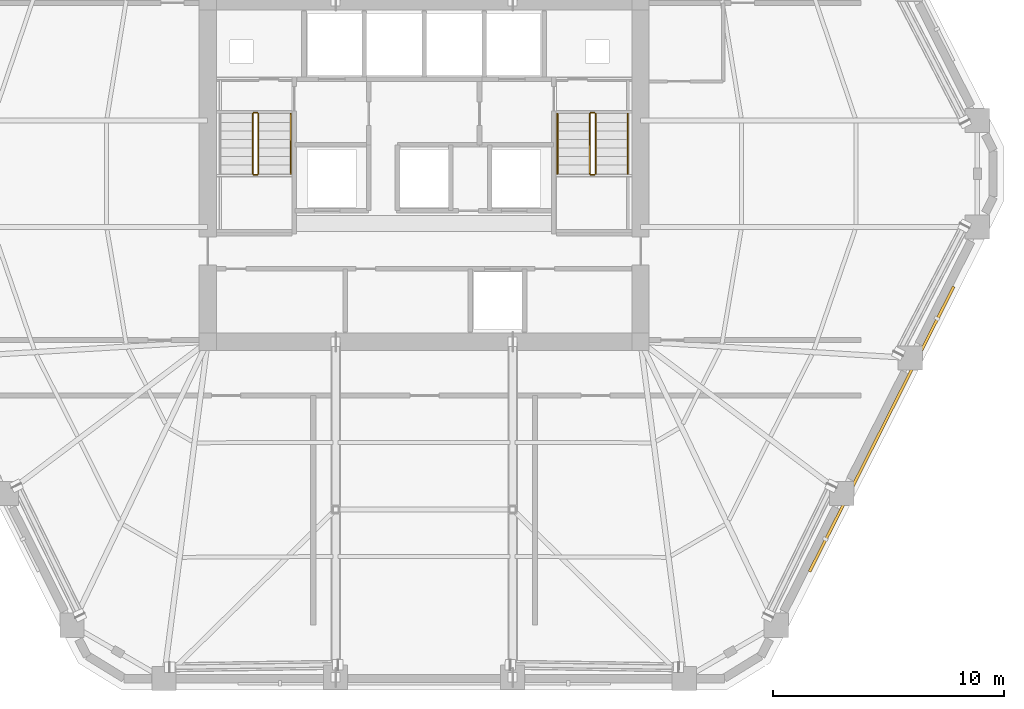
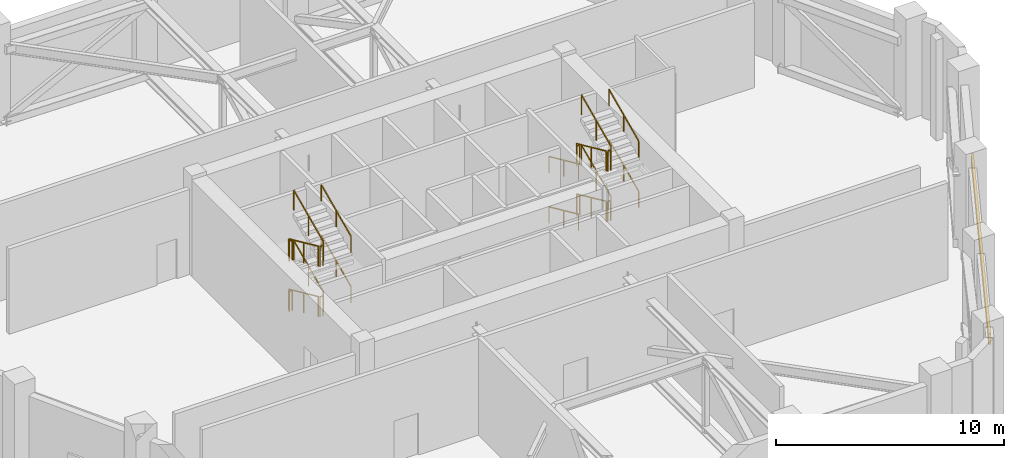
# One storey, part 14 of 15: 22 railings, 1 shading device.
"""IFC4 building model written with IfcOpenShell, lengths in metres."""

from ifc_helpers import new_model, si_unit, direction, frame, origin, origin_2d, place, context, subcontext, project, spatial, rectangle, extrude, material, layer, layer_set, type_object, element, save


model = new_model("IFC4")

# Units and contexts
model_context = context("Model", 3, precision=1e-05, world=origin(), true_north=direction((0.0, 1.0)))
body_context = subcontext(model_context, "Body", "Model", "MODEL_VIEW")
ifc_project = project(units=[si_unit("LENGTHUNIT", "METRE"), si_unit("AREAUNIT", "SQUARE_METRE"), si_unit("VOLUMEUNIT", "CUBIC_METRE"), si_unit("PLANEANGLEUNIT", "RADIAN"), si_unit("MASSUNIT", "GRAM", prefix="KILO")], contexts=[model_context])

# Site, building, storey
site_placement = place(None, origin())
site = spatial("IfcSite", under=ifc_project, at=site_placement, CompositionType="ELEMENT")
building_placement = place(site_placement, origin())
building = spatial("IfcBuilding", under=site, at=building_placement, Name="Cinnabar Lancet Tower", CompositionType="ELEMENT")
storey_placement = place(building_placement, frame((0.0, 0.0, 148.10009765625)))
storey = spatial("IfcBuildingStorey", under=building, at=storey_placement, Name="L39", CompositionType="ELEMENT", Elevation=148.10009765625)

# Shading device
ifc_material_1 = material(Name="Anodized acoustic plant weather louvre", Category="aluminium")
ifc_layer = layer(ifc_material_1, 0.094970703125)
ifc_layer_set = layer_set([ifc_layer], Name="Anodized acoustic plant weather louvre")
shading_device_type = type_object("IfcShadingDeviceType", Name="ENV-SHD-LVR-600", PredefinedType="JALOUSIE", material=ifc_layer_set)
shading_device_placement = place(storey_placement, frame((52.215087890625, 14.743896484375, 1.849853515625), z_axis=(0.0, 0.0, 1.0), x_axis=(0.45142270618, 0.892310226516, 0.0)))
element("IfcShadingDevice", 1, at=shading_device_placement, inside=storey, type_object=shading_device_type, Name="L39 Face 2 Acoustic Plant Weather Louvre", PredefinedType="JALOUSIE", context=body_context, shape_type="SweptSolid", body=[
    extrude(rectangle(XDim=13.823974609375, YDim=0.1201171875, at=origin_2d()), origin(), (0.0, 0.0, 1.0), 0.60009765625),
])

# Railings
ifc_material_2 = material(Name="Painted galvanized steel balustrade", Category="steel")
railing_type_1 = type_object("IfcRailingType", Name="GUARD-STAIR", PredefinedType="GUARDRAIL", material=ifc_material_2)
railing_1_placement = place(storey_placement, frame((24.97509765625, 28.39990234375, 0.168701171875)))
element("IfcRailing", 2, at=railing_1_placement, inside=storey, type_object=railing_type_1, Name="L39 ST-1 stair guard 1", PredefinedType="GUARDRAIL", context=body_context, shape_type="SweptSolid", body=[
    extrude(rectangle(XDim=0.048095703125, YDim=0.048095703125, at=origin_2d()), frame((0.0, 0.0, 1.076171875), z_axis=(0.0, -0.910430886142, 0.413661215923), x_axis=(1.0, 0.0, 0.0)), (0.0, 0.0, 1.0), 2.85546875),
    extrude(rectangle(XDim=0.0419921875, YDim=0.0419921875, at=origin_2d()), origin(), (0.0, 0.0, 1.0), 1.052001953125),
    extrude(rectangle(XDim=0.0419921875, YDim=0.0419921875, at=origin_2d()), frame((0.0, -1.2998046875, 0.590576171875)), (0.0, 0.0, 1.0), 1.052001953125),
    extrude(rectangle(XDim=0.0419921875, YDim=0.0419921875, at=origin_2d()), frame((0.0, -2.599609375, 1.18115234375)), (0.0, 0.0, 1.0), 1.052001953125),
])
railing_2_placement = place(storey_placement, frame((25.02490234375, 25.750244140625, 1.349853515625)))
element("IfcRailing", 3, at=railing_2_placement, inside=storey, type_object=railing_type_1, Name="L39 ST-1 stair guard 2", PredefinedType="GUARDRAIL", context=body_context, shape_type="SweptSolid", body=[
    extrude(rectangle(XDim=0.048095703125, YDim=0.048095703125, at=origin_2d()), frame((0.0, 0.0, 1.076171875), z_axis=(1.0, 0.0, 0.0), x_axis=(0.0, 1.0, 0.0)), (0.0, 0.0, 1.0), 0.150146484375),
    extrude(rectangle(XDim=0.0419921875, YDim=0.0419921875, at=origin_2d()), origin(), (0.0, 0.0, 1.0), 1.052001953125),
    extrude(rectangle(XDim=0.0419921875, YDim=0.0419921875, at=origin_2d()), frame((0.150146484375, 0.0, 0.0)), (0.0, 0.0, 1.0), 1.052001953125),
])
railing_3_placement = place(storey_placement, frame((25.22509765625, 25.80029296875, 1.5185546875)))
element("IfcRailing", 4, at=railing_3_placement, inside=storey, type_object=railing_type_1, Name="L39 ST-1 stair guard 3", PredefinedType="GUARDRAIL", context=body_context, shape_type="SweptSolid", body=[
    extrude(rectangle(XDim=0.048095703125, YDim=0.048095703125, at=origin_2d()), frame((0.0, 0.0, 1.076171875), z_axis=(0.0, 0.910398683421, 0.413732083872), x_axis=(-1.0, 0.0, 0.0)), (0.0, 0.0, 1.0), 2.85546875),
    extrude(rectangle(XDim=0.0419921875, YDim=0.0419921875, at=origin_2d()), origin(), (0.0, 0.0, 1.0), 1.052001953125),
    extrude(rectangle(XDim=0.0419921875, YDim=0.0419921875, at=origin_2d()), frame((0.0, 1.2998046875, 0.5908203125)), (0.0, 0.0, 1.0), 1.052001953125),
    extrude(rectangle(XDim=0.0419921875, YDim=0.0419921875, at=origin_2d()), frame((0.0, 2.599609375, 1.181396484375)), (0.0, 0.0, 1.0), 1.052001953125),
])
railing_4_placement = place(storey_placement, frame((25.02490234375, 28.449951171875, 2.699951171875)))
element("IfcRailing", 5, at=railing_4_placement, inside=storey, type_object=railing_type_1, Name="L39 ST-1 stair guard 4", PredefinedType="GUARDRAIL", context=body_context, shape_type="SweptSolid", body=[
    extrude(rectangle(XDim=0.048095703125, YDim=0.048095703125, at=origin_2d()), frame((0.0, 0.0, 1.076171875), z_axis=(1.0, 0.0, 0.0), x_axis=(0.0, 1.0, 0.0)), (0.0, 0.0, 1.0), 0.150146484375),
    extrude(rectangle(XDim=0.0419921875, YDim=0.0419921875, at=origin_2d()), origin(), (0.0, 0.0, 1.0), 1.052001953125),
    extrude(rectangle(XDim=0.0419921875, YDim=0.0419921875, at=origin_2d()), frame((0.150146484375, 0.0, 0.0)), (0.0, 0.0, 1.0), 1.052001953125),
])
railing_5_placement = place(storey_placement, frame((24.97509765625, 28.39990234375, 2.86865234375)))
element("IfcRailing", 6, at=railing_5_placement, inside=storey, type_object=railing_type_1, Name="L39 ST-1 stair guard 5", PredefinedType="GUARDRAIL", context=body_context, shape_type="SweptSolid", body=[
    extrude(rectangle(XDim=0.048095703125, YDim=0.048095703125, at=origin_2d()), frame((0.0, 0.0, 1.076171875), z_axis=(0.0, -0.910430886142, 0.413661215923), x_axis=(1.0, 0.0, 0.0)), (0.0, 0.0, 1.0), 2.85546875),
    extrude(rectangle(XDim=0.0419921875, YDim=0.0419921875, at=origin_2d()), origin(), (0.0, 0.0, 1.0), 1.052001953125),
    extrude(rectangle(XDim=0.0419921875, YDim=0.0419921875, at=origin_2d()), frame((0.0, -1.2998046875, 0.590576171875)), (0.0, 0.0, 1.0), 1.052001953125),
    extrude(rectangle(XDim=0.0419921875, YDim=0.0419921875, at=origin_2d()), frame((0.0, -2.599609375, 1.18115234375)), (0.0, 0.0, 1.0), 1.052001953125),
])
railing_6_placement = place(storey_placement, frame((25.02490234375, 25.750244140625, 4.0498046875)))
element("IfcRailing", 7, at=railing_6_placement, inside=storey, type_object=railing_type_1, Name="L39 ST-1 stair guard 6", PredefinedType="GUARDRAIL", context=body_context, shape_type="SweptSolid", body=[
    extrude(rectangle(XDim=0.048095703125, YDim=0.048095703125, at=origin_2d()), frame((0.0, 0.0, 1.076171875), z_axis=(1.0, 0.0, 0.0), x_axis=(0.0, 1.0, 0.0)), (0.0, 0.0, 1.0), 0.150146484375),
    extrude(rectangle(XDim=0.0419921875, YDim=0.0419921875, at=origin_2d()), origin(), (0.0, 0.0, 1.0), 1.052001953125),
    extrude(rectangle(XDim=0.0419921875, YDim=0.0419921875, at=origin_2d()), frame((0.150146484375, 0.0, 0.0)), (0.0, 0.0, 1.0), 1.052001953125),
])
railing_7_placement = place(storey_placement, frame((25.22509765625, 25.80029296875, 4.21875)))
element("IfcRailing", 8, at=railing_7_placement, inside=storey, type_object=railing_type_1, Name="L39 ST-1 stair guard 7", PredefinedType="GUARDRAIL", context=body_context, shape_type="SweptSolid", body=[
    extrude(rectangle(XDim=0.048095703125, YDim=0.048095703125, at=origin_2d()), frame((0.0, 0.0, 1.076171875), z_axis=(0.0, 0.910430886142, 0.413661215923), x_axis=(-1.0, 0.0, 0.0)), (0.0, 0.0, 1.0), 2.85546875),
    extrude(rectangle(XDim=0.0419921875, YDim=0.0419921875, at=origin_2d()), origin(), (0.0, 0.0, 1.0), 1.052001953125),
    extrude(rectangle(XDim=0.0419921875, YDim=0.0419921875, at=origin_2d()), frame((0.0, 1.2998046875, 0.590576171875)), (0.0, 0.0, 1.0), 1.052001953125),
    extrude(rectangle(XDim=0.0419921875, YDim=0.0419921875, at=origin_2d()), frame((0.0, 2.599609375, 1.18115234375)), (0.0, 0.0, 1.0), 1.052001953125),
])
railing_8_placement = place(storey_placement, frame((25.02490234375, 28.449951171875, 0.0)))
element("IfcRailing", 9, at=railing_8_placement, inside=storey, type_object=railing_type_1, Name="L39 ST-1 stair guard 8", PredefinedType="GUARDRAIL", context=body_context, shape_type="SweptSolid", body=[
    extrude(rectangle(XDim=0.048095703125, YDim=0.048095703125, at=origin_2d()), frame((0.0, 0.0, 1.076171875), z_axis=(1.0, 0.0, 0.0), x_axis=(0.0, 1.0, 0.0)), (0.0, 0.0, 1.0), 0.150146484375),
    extrude(rectangle(XDim=0.0419921875, YDim=0.0419921875, at=origin_2d()), origin(), (0.0, 0.0, 1.0), 1.052001953125),
    extrude(rectangle(XDim=0.0419921875, YDim=0.0419921875, at=origin_2d()), frame((0.150146484375, 0.0, 0.0)), (0.0, 0.0, 1.0), 1.052001953125),
])
railing_9_placement = place(storey_placement, frame((39.574951171875, 28.39990234375, 0.168701171875)))
element("IfcRailing", 10, at=railing_9_placement, inside=storey, type_object=railing_type_1, Name="L39 ST-2 stair guard 1", PredefinedType="GUARDRAIL", context=body_context, shape_type="SweptSolid", body=[
    extrude(rectangle(XDim=0.048095703125, YDim=0.048095703125, at=origin_2d()), frame((0.0, 0.0, 1.076171875), z_axis=(0.0, -0.910430886142, 0.413661215923), x_axis=(1.0, 0.0, 0.0)), (0.0, 0.0, 1.0), 2.85546875),
    extrude(rectangle(XDim=0.0419921875, YDim=0.0419921875, at=origin_2d()), origin(), (0.0, 0.0, 1.0), 1.052001953125),
    extrude(rectangle(XDim=0.0419921875, YDim=0.0419921875, at=origin_2d()), frame((0.0, -1.2998046875, 0.590576171875)), (0.0, 0.0, 1.0), 1.052001953125),
    extrude(rectangle(XDim=0.0419921875, YDim=0.0419921875, at=origin_2d()), frame((0.0, -2.599609375, 1.18115234375)), (0.0, 0.0, 1.0), 1.052001953125),
])
railing_10_placement = place(storey_placement, frame((39.625, 25.750244140625, 1.349853515625)))
element("IfcRailing", 11, at=railing_10_placement, inside=storey, type_object=railing_type_1, Name="L39 ST-2 stair guard 2", PredefinedType="GUARDRAIL", context=body_context, shape_type="SweptSolid", body=[
    extrude(rectangle(XDim=0.048095703125, YDim=0.048095703125, at=origin_2d()), frame((0.0, 0.0, 1.076171875), z_axis=(1.0, 0.0, 0.0), x_axis=(0.0, 1.0, 0.0)), (0.0, 0.0, 1.0), 0.14990234375),
    extrude(rectangle(XDim=0.0419921875, YDim=0.0419921875, at=origin_2d()), origin(), (0.0, 0.0, 1.0), 1.052001953125),
    extrude(rectangle(XDim=0.0419921875, YDim=0.0419921875, at=origin_2d()), frame((0.14990234375, 0.0, 0.0)), (0.0, 0.0, 1.0), 1.052001953125),
])
railing_11_placement = place(storey_placement, frame((39.824951171875, 25.80029296875, 1.5185546875)))
element("IfcRailing", 12, at=railing_11_placement, inside=storey, type_object=railing_type_1, Name="L39 ST-2 stair guard 3", PredefinedType="GUARDRAIL", context=body_context, shape_type="SweptSolid", body=[
    extrude(rectangle(XDim=0.048095703125, YDim=0.048095703125, at=origin_2d()), frame((0.0, 0.0, 1.076171875), z_axis=(0.0, 0.910398683421, 0.413732083872), x_axis=(-1.0, 0.0, 0.0)), (0.0, 0.0, 1.0), 2.85546875),
    extrude(rectangle(XDim=0.0419921875, YDim=0.0419921875, at=origin_2d()), origin(), (0.0, 0.0, 1.0), 1.052001953125),
    extrude(rectangle(XDim=0.0419921875, YDim=0.0419921875, at=origin_2d()), frame((0.0, 1.2998046875, 0.5908203125)), (0.0, 0.0, 1.0), 1.052001953125),
    extrude(rectangle(XDim=0.0419921875, YDim=0.0419921875, at=origin_2d()), frame((0.0, 2.599609375, 1.181396484375)), (0.0, 0.0, 1.0), 1.052001953125),
])
railing_12_placement = place(storey_placement, frame((39.625, 28.449951171875, 2.699951171875)))
element("IfcRailing", 13, at=railing_12_placement, inside=storey, type_object=railing_type_1, Name="L39 ST-2 stair guard 4", PredefinedType="GUARDRAIL", context=body_context, shape_type="SweptSolid", body=[
    extrude(rectangle(XDim=0.048095703125, YDim=0.048095703125, at=origin_2d()), frame((0.0, 0.0, 1.076171875), z_axis=(1.0, 0.0, 0.0), x_axis=(0.0, 1.0, 0.0)), (0.0, 0.0, 1.0), 0.14990234375),
    extrude(rectangle(XDim=0.0419921875, YDim=0.0419921875, at=origin_2d()), origin(), (0.0, 0.0, 1.0), 1.052001953125),
    extrude(rectangle(XDim=0.0419921875, YDim=0.0419921875, at=origin_2d()), frame((0.14990234375, 0.0, 0.0)), (0.0, 0.0, 1.0), 1.052001953125),
])
railing_13_placement = place(storey_placement, frame((39.574951171875, 28.39990234375, 2.86865234375)))
element("IfcRailing", 14, at=railing_13_placement, inside=storey, type_object=railing_type_1, Name="L39 ST-2 stair guard 5", PredefinedType="GUARDRAIL", context=body_context, shape_type="SweptSolid", body=[
    extrude(rectangle(XDim=0.048095703125, YDim=0.048095703125, at=origin_2d()), frame((0.0, 0.0, 1.076171875), z_axis=(0.0, -0.910430886142, 0.413661215923), x_axis=(1.0, 0.0, 0.0)), (0.0, 0.0, 1.0), 2.85546875),
    extrude(rectangle(XDim=0.0419921875, YDim=0.0419921875, at=origin_2d()), origin(), (0.0, 0.0, 1.0), 1.052001953125),
    extrude(rectangle(XDim=0.0419921875, YDim=0.0419921875, at=origin_2d()), frame((0.0, -1.2998046875, 0.590576171875)), (0.0, 0.0, 1.0), 1.052001953125),
    extrude(rectangle(XDim=0.0419921875, YDim=0.0419921875, at=origin_2d()), frame((0.0, -2.599609375, 1.18115234375)), (0.0, 0.0, 1.0), 1.052001953125),
])
railing_14_placement = place(storey_placement, frame((39.625, 25.750244140625, 4.0498046875)))
element("IfcRailing", 15, at=railing_14_placement, inside=storey, type_object=railing_type_1, Name="L39 ST-2 stair guard 6", PredefinedType="GUARDRAIL", context=body_context, shape_type="SweptSolid", body=[
    extrude(rectangle(XDim=0.048095703125, YDim=0.048095703125, at=origin_2d()), frame((0.0, 0.0, 1.076171875), z_axis=(1.0, 0.0, 0.0), x_axis=(0.0, 1.0, 0.0)), (0.0, 0.0, 1.0), 0.14990234375),
    extrude(rectangle(XDim=0.0419921875, YDim=0.0419921875, at=origin_2d()), origin(), (0.0, 0.0, 1.0), 1.052001953125),
    extrude(rectangle(XDim=0.0419921875, YDim=0.0419921875, at=origin_2d()), frame((0.14990234375, 0.0, 0.0)), (0.0, 0.0, 1.0), 1.052001953125),
])
railing_15_placement = place(storey_placement, frame((39.824951171875, 25.80029296875, 4.21875)))
element("IfcRailing", 16, at=railing_15_placement, inside=storey, type_object=railing_type_1, Name="L39 ST-2 stair guard 7", PredefinedType="GUARDRAIL", context=body_context, shape_type="SweptSolid", body=[
    extrude(rectangle(XDim=0.048095703125, YDim=0.048095703125, at=origin_2d()), frame((0.0, 0.0, 1.076171875), z_axis=(0.0, 0.910430886142, 0.413661215923), x_axis=(-1.0, 0.0, 0.0)), (0.0, 0.0, 1.0), 2.85546875),
    extrude(rectangle(XDim=0.0419921875, YDim=0.0419921875, at=origin_2d()), origin(), (0.0, 0.0, 1.0), 1.052001953125),
    extrude(rectangle(XDim=0.0419921875, YDim=0.0419921875, at=origin_2d()), frame((0.0, 1.2998046875, 0.590576171875)), (0.0, 0.0, 1.0), 1.052001953125),
    extrude(rectangle(XDim=0.0419921875, YDim=0.0419921875, at=origin_2d()), frame((0.0, 2.599609375, 1.18115234375)), (0.0, 0.0, 1.0), 1.052001953125),
])
railing_16_placement = place(storey_placement, frame((39.625, 28.449951171875, 0.0)))
element("IfcRailing", 17, at=railing_16_placement, inside=storey, type_object=railing_type_1, Name="L39 ST-2 stair guard 8", PredefinedType="GUARDRAIL", context=body_context, shape_type="SweptSolid", body=[
    extrude(rectangle(XDim=0.048095703125, YDim=0.048095703125, at=origin_2d()), frame((0.0, 0.0, 1.076171875), z_axis=(1.0, 0.0, 0.0), x_axis=(0.0, 1.0, 0.0)), (0.0, 0.0, 1.0), 0.14990234375),
    extrude(rectangle(XDim=0.0419921875, YDim=0.0419921875, at=origin_2d()), origin(), (0.0, 0.0, 1.0), 1.052001953125),
    extrude(rectangle(XDim=0.0419921875, YDim=0.0419921875, at=origin_2d()), frame((0.14990234375, 0.0, 0.0)), (0.0, 0.0, 1.0), 1.052001953125),
])
ifc_material_3 = material(Name="Brushed stainless steel handrail", Category="steel")
railing_type_2 = type_object("IfcRailingType", Name="HANDRAIL-STAIR", PredefinedType="HANDRAIL", material=ifc_material_3)
railing_17_placement = place(storey_placement, frame((26.625, 25.80029296875, 1.5185546875)))
element("IfcRailing", 18, at=railing_17_placement, inside=storey, type_object=railing_type_2, Name="L39 ST-1 stair handrail 2", PredefinedType="HANDRAIL", context=body_context, shape_type="SweptSolid", body=[
    extrude(rectangle(XDim=0.048095703125, YDim=0.048095703125, at=origin_2d()), frame((0.0, 0.0, 0.8759765625), z_axis=(0.0, 0.910398683421, 0.413732083872), x_axis=(-1.0, 0.0, 0.0)), (0.0, 0.0, 1.0), 2.85546875),
    extrude(rectangle(XDim=0.0419921875, YDim=0.0419921875, at=origin_2d()), origin(), (0.0, 0.0, 1.0), 0.851806640625),
    extrude(rectangle(XDim=0.0419921875, YDim=0.0419921875, at=origin_2d()), frame((0.0, 1.2998046875, 0.5908203125)), (0.0, 0.0, 1.0), 0.851806640625),
    extrude(rectangle(XDim=0.0419921875, YDim=0.0419921875, at=origin_2d()), frame((0.0, 2.599609375, 1.181396484375)), (0.0, 0.0, 1.0), 0.851806640625),
])
railing_18_placement = place(storey_placement, frame((26.625, 25.80029296875, 4.21875)))
element("IfcRailing", 19, at=railing_18_placement, inside=storey, type_object=railing_type_2, Name="L39 ST-1 stair handrail 4", PredefinedType="HANDRAIL", context=body_context, shape_type="SweptSolid", body=[
    extrude(rectangle(XDim=0.048095703125, YDim=0.048095703125, at=origin_2d()), frame((0.0, 0.0, 0.8759765625), z_axis=(0.0, 0.910430886142, 0.413661215923), x_axis=(-1.0, 0.0, 0.0)), (0.0, 0.0, 1.0), 2.85546875),
    extrude(rectangle(XDim=0.0419921875, YDim=0.0419921875, at=origin_2d()), origin(), (0.0, 0.0, 1.0), 0.851806640625),
    extrude(rectangle(XDim=0.0419921875, YDim=0.0419921875, at=origin_2d()), frame((0.0, 1.2998046875, 0.590576171875)), (0.0, 0.0, 1.0), 0.851806640625),
    extrude(rectangle(XDim=0.0419921875, YDim=0.0419921875, at=origin_2d()), frame((0.0, 2.599609375, 1.18115234375)), (0.0, 0.0, 1.0), 0.851806640625),
])
railing_19_placement = place(storey_placement, frame((38.175048828125, 28.39990234375, 0.168701171875)))
element("IfcRailing", 20, at=railing_19_placement, inside=storey, type_object=railing_type_2, Name="L39 ST-2 stair handrail 1", PredefinedType="HANDRAIL", context=body_context, shape_type="SweptSolid", body=[
    extrude(rectangle(XDim=0.048095703125, YDim=0.048095703125, at=origin_2d()), frame((0.0, 0.0, 0.8759765625), z_axis=(0.0, -0.910430886142, 0.413661215923), x_axis=(1.0, 0.0, 0.0)), (0.0, 0.0, 1.0), 2.85546875),
    extrude(rectangle(XDim=0.0419921875, YDim=0.0419921875, at=origin_2d()), origin(), (0.0, 0.0, 1.0), 0.851806640625),
    extrude(rectangle(XDim=0.0419921875, YDim=0.0419921875, at=origin_2d()), frame((0.0, -1.2998046875, 0.590576171875)), (0.0, 0.0, 1.0), 0.851806640625),
    extrude(rectangle(XDim=0.0419921875, YDim=0.0419921875, at=origin_2d()), frame((0.0, -2.599609375, 1.18115234375)), (0.0, 0.0, 1.0), 0.851806640625),
])
railing_20_placement = place(storey_placement, frame((41.22509765625, 25.80029296875, 1.5185546875)))
element("IfcRailing", 21, at=railing_20_placement, inside=storey, type_object=railing_type_2, Name="L39 ST-2 stair handrail 2", PredefinedType="HANDRAIL", context=body_context, shape_type="SweptSolid", body=[
    extrude(rectangle(XDim=0.048095703125, YDim=0.048095703125, at=origin_2d()), frame((0.0, 0.0, 0.8759765625), z_axis=(0.0, 0.910398683421, 0.413732083872), x_axis=(-1.0, 0.0, 0.0)), (0.0, 0.0, 1.0), 2.85546875),
    extrude(rectangle(XDim=0.0419921875, YDim=0.0419921875, at=origin_2d()), origin(), (0.0, 0.0, 1.0), 0.851806640625),
    extrude(rectangle(XDim=0.0419921875, YDim=0.0419921875, at=origin_2d()), frame((0.0, 1.2998046875, 0.5908203125)), (0.0, 0.0, 1.0), 0.851806640625),
    extrude(rectangle(XDim=0.0419921875, YDim=0.0419921875, at=origin_2d()), frame((0.0, 2.599609375, 1.181396484375)), (0.0, 0.0, 1.0), 0.851806640625),
])
railing_21_placement = place(storey_placement, frame((38.175048828125, 28.39990234375, 2.86865234375)))
element("IfcRailing", 22, at=railing_21_placement, inside=storey, type_object=railing_type_2, Name="L39 ST-2 stair handrail 3", PredefinedType="HANDRAIL", context=body_context, shape_type="SweptSolid", body=[
    extrude(rectangle(XDim=0.048095703125, YDim=0.048095703125, at=origin_2d()), frame((0.0, 0.0, 0.8759765625), z_axis=(0.0, -0.910430886142, 0.413661215923), x_axis=(1.0, 0.0, 0.0)), (0.0, 0.0, 1.0), 2.85546875),
    extrude(rectangle(XDim=0.0419921875, YDim=0.0419921875, at=origin_2d()), origin(), (0.0, 0.0, 1.0), 0.851806640625),
    extrude(rectangle(XDim=0.0419921875, YDim=0.0419921875, at=origin_2d()), frame((0.0, -1.2998046875, 0.590576171875)), (0.0, 0.0, 1.0), 0.851806640625),
    extrude(rectangle(XDim=0.0419921875, YDim=0.0419921875, at=origin_2d()), frame((0.0, -2.599609375, 1.18115234375)), (0.0, 0.0, 1.0), 0.851806640625),
])
railing_22_placement = place(storey_placement, frame((41.22509765625, 25.80029296875, 4.21875)))
element("IfcRailing", 23, at=railing_22_placement, inside=storey, type_object=railing_type_2, Name="L39 ST-2 stair handrail 4", PredefinedType="HANDRAIL", context=body_context, shape_type="SweptSolid", body=[
    extrude(rectangle(XDim=0.048095703125, YDim=0.048095703125, at=origin_2d()), frame((0.0, 0.0, 0.8759765625), z_axis=(0.0, 0.910430886142, 0.413661215923), x_axis=(-1.0, 0.0, 0.0)), (0.0, 0.0, 1.0), 2.85546875),
    extrude(rectangle(XDim=0.0419921875, YDim=0.0419921875, at=origin_2d()), origin(), (0.0, 0.0, 1.0), 0.851806640625),
    extrude(rectangle(XDim=0.0419921875, YDim=0.0419921875, at=origin_2d()), frame((0.0, 1.2998046875, 0.590576171875)), (0.0, 0.0, 1.0), 0.851806640625),
    extrude(rectangle(XDim=0.0419921875, YDim=0.0419921875, at=origin_2d()), frame((0.0, 2.599609375, 1.18115234375)), (0.0, 0.0, 1.0), 0.851806640625),
])

save(model, "model.ifc")
